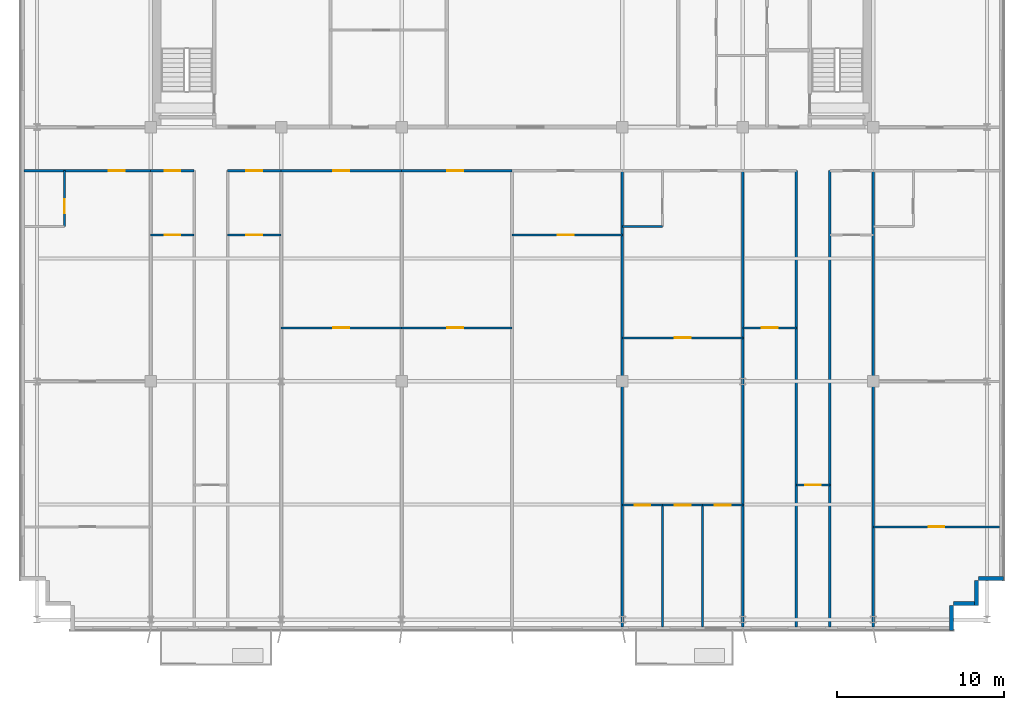
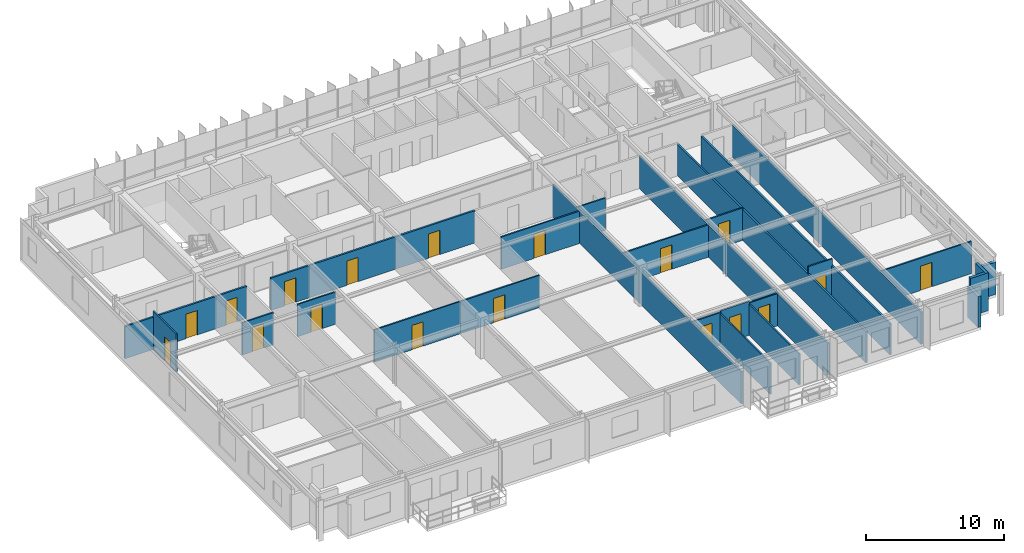
# One storey, part 15 of 20: 30 walls, 18 doors, 18 openings.
"""IFC4 building model written with IfcOpenShell, lengths in metres."""

from ifc_helpers import new_model, si_unit, direction, frame, frame_2d, origin, place, context, subcontext, project, spatial, rectangle, extrude, source, transform, mapped, material, layer, layer_set, type_object, element, fill, save


model = new_model("IFC4")

# Units and contexts
model_context = context("Model", 3, precision=1e-05, world=origin(), true_north=direction((0.0, 1.0)))
body_context = subcontext(model_context, "Body", "Model", "MODEL_VIEW")
ifc_project = project(units=[si_unit("LENGTHUNIT", "METRE"), si_unit("AREAUNIT", "SQUARE_METRE"), si_unit("VOLUMEUNIT", "CUBIC_METRE"), si_unit("PLANEANGLEUNIT", "RADIAN"), si_unit("MASSUNIT", "GRAM", prefix="KILO")], contexts=[model_context])

# Site, building, storey
site_placement = place(None, origin())
site = spatial("IfcSite", under=ifc_project, at=site_placement, CompositionType="ELEMENT")
building_placement = place(site_placement, origin())
building = spatial("IfcBuilding", under=site, at=building_placement, Name="Trelvane Seafront Commons", CompositionType="ELEMENT")
storey_placement = place(building_placement, frame((0.0, 0.0, 164.5)))
storey = spatial("IfcBuildingStorey", under=building, at=storey_placement, Name="L43", CompositionType="ELEMENT", Elevation=164.5)

# Walls
ifc_material_1 = material(Name="Precast concrete C40/50", Category="concrete")
ifc_layer_1 = layer(ifc_material_1, 0.239990234375, Name="ARCH-WALL-EXT240")
ifc_layer_set_1 = layer_set([ifc_layer_1], Name="Precast concrete C40/50")
wall_type_1 = type_object("IfcWallType", Name="ARCH-WALL-EXT240", PredefinedType="SOLIDWALL", material=ifc_layer_set_1)
wall_1_placement = place(storey_placement, frame((66.60009765625, 6.419921875, 0.0), z_axis=(0.0, 0.0, 1.0), x_axis=(-1.0, 0.0, 0.0)))
element("IfcWall", 1, at=wall_1_placement, inside=storey, type_object=wall_type_1, Name="EW-L43-00857", PredefinedType="SOLIDWALL", context=body_context, shape_type="SweptSolid", body=[
    extrude(rectangle(XDim=1.5, YDim=0.239990234375, at=frame_2d((0.75, 0.0))), origin(), (0.0, 0.0, 1.0), 2.85009765625),
])
for number, where, z_axis, x_axis, name in (
    (2, (64.97998046875, 6.300048828125, 0.0), (0.0, 0.0, 1.0), (0.0, -1.0, 0.0), "EW-L43-00858"),
    (3, (65.10009765625, 4.919921875, 0.0), (0.0, 0.0, 1.0), (-1.0, 0.0, 0.0), "EW-L43-00859"),
):
    element("IfcWall", number, at=place(storey_placement, frame(where, z_axis=z_axis, x_axis=x_axis)), inside=storey, type_object=wall_type_1, Name=name, PredefinedType="SOLIDWALL", context=body_context, shape_type="SweptSolid", body=[
        extrude(rectangle(XDim=1.5, YDim=0.239990234375, at=frame_2d((0.75, 0.0))), origin(), (0.0, 0.0, 1.0), 3.35009765625),
    ])
wall_2_placement = place(storey_placement, frame((63.47998046875, 4.800048828125, 0.0), z_axis=(0.0, 0.0, 1.0), x_axis=(0.0, -1.0, 0.0)))
element("IfcWall", 4, at=wall_2_placement, inside=storey, type_object=wall_type_1, Name="EW-L43-00860", PredefinedType="SOLIDWALL", context=body_context, shape_type="SweptSolid", body=[
    extrude(rectangle(XDim=1.5, YDim=0.239990234375, at=frame_2d((0.75, 0.0))), origin(), (0.0, 0.0, 1.0), 2.75),
])

# Wall, opening, door
ifc_material_2 = material(Name="Gypsum Drywall Acoustic Partition")
ifc_layer_2 = layer(ifc_material_2, 0.1201171875, Name="ARCH-WALL-PART120")
ifc_layer_set_2 = layer_set([ifc_layer_2], Name="Gypsum Drywall Acoustic Partition")
wall_type_2 = type_object("IfcWallType", Name="ARCH-WALL-PART120", PredefinedType="PARTITIONING", material=ifc_layer_set_2)
wall_3_placement = place(storey_placement, frame((10.43994140625, 27.449951171875, 0.0), z_axis=(0.0, 0.0, 1.0), x_axis=(0.0, 1.0, 0.0)))
wall_3 = element("IfcWall", 5, at=wall_3_placement, inside=storey, type_object=wall_type_2, Name="W-L43-U1-BE-051", PredefinedType="PARTITIONING", context=body_context, shape_type="SweptSolid", body=[
    extrude(rectangle(XDim=3.35009765625, YDim=0.1201171875, at=frame_2d((1.675048828125, 0.0))), origin(), (0.0, 0.0, 1.0), 3.35009765625),
])
opening_1_placement = place(wall_3_placement, frame((0.800048828125, 0.0, 0.0)))
opening_1 = element("IfcOpeningElement", 6, at=opening_1_placement, cuts=wall_3, Name="Opening D-L43-28", PredefinedType="OPENING", context=body_context, shape_type="SweptSolid", body=[
    extrude(rectangle(XDim=0.85009765625, YDim=2.10009765625, at=frame_2d((0.425048828125, 1.050048828125))), frame((0.0, 0.070068359375, 0.0), z_axis=(0.0, -1.0, 0.0), x_axis=(1.0, 0.0, 0.0)), (0.0, 0.0, 1.0), 0.14013671875),
])
ifc_material_3 = material(Name="Acoustic timber door leaf", Category="wood")
door_type_1 = type_object("IfcDoorType", Name="ARCH-DR-INT850", OperationType="NOTDEFINED", PredefinedType="DOOR", material=ifc_material_3)
shared_shape_1 = source(origin(), body_context, "Body", "SweptSolid", [
    extrude(rectangle(XDim=0.85009765625, YDim=2.10009765625, at=frame_2d((0.425048828125, 1.050048828125))), frame((0.0, 0.02490234375, 0.0), z_axis=(0.0, -1.0, 0.0), x_axis=(1.0, 0.0, 0.0)), (0.0, 0.0, 1.0), 0.050048828125),
])
door_1_placement = place(opening_1_placement, origin())
door_1 = element("IfcDoor", 7, at=door_1_placement, inside=storey, type_object=door_type_1, Name="L43 Door 28", OperationType="SINGLE_SWING_RIGHT", OverallHeight=2.10009765625, OverallWidth=0.85009765625, PredefinedType="DOOR", context=body_context, shape_type="MappedRepresentation", body=[
    mapped(shared_shape_1, transform((0.0, 0.0, 0.0), x_axis=(1.0, 0.0, 0.0), y_axis=(0.0, 1.0, 0.0), z_axis=(0.0, 0.0, 1.0), scale=1.0)),
])
fill(opening_1, door_1)

wall_4_placement = place(storey_placement, frame((15.60009765625, 26.949951171875, 0.0), z_axis=(0.0, 0.0, 1.0), x_axis=(1.0, 0.0, 0.0)))
wall_4 = element("IfcWall", 8, at=wall_4_placement, inside=storey, type_object=wall_type_2, Name="W-L43-U2-DIV-056", PredefinedType="PARTITIONING", context=body_context, shape_type="SweptSolid", body=[
    extrude(rectangle(XDim=2.599853515625, YDim=0.1201171875, at=frame_2d((1.2998046875, 0.0))), origin(), (0.0, 0.0, 1.0), 2.85009765625),
])
opening_2_placement = place(wall_4_placement, frame((0.824951171875, 0.0, 0.0)))
opening_2 = element("IfcOpeningElement", 9, at=opening_2_placement, cuts=wall_4, Name="Opening D-L43-32", PredefinedType="OPENING", context=body_context, shape_type="SweptSolid", body=[
    extrude(rectangle(XDim=0.949951171875, YDim=2.14990234375, at=frame_2d((0.47509765625, 1.074951171875))), frame((0.0, 0.070068359375, 0.0), z_axis=(0.0, -1.0, 0.0), x_axis=(1.0, 0.0, 0.0)), (0.0, 0.0, 1.0), 0.14013671875),
])
door_type_2 = type_object("IfcDoorType", Name="ARCH-DR-INT950", OperationType="NOTDEFINED", PredefinedType="DOOR", material=ifc_material_3)
shared_shape_2 = source(origin(), body_context, "Body", "SweptSolid", [
    extrude(rectangle(XDim=0.949951171875, YDim=2.14990234375, at=frame_2d((0.47509765625, 1.074951171875))), frame((0.0, 0.02490234375, 0.0), z_axis=(0.0, -1.0, 0.0), x_axis=(1.0, 0.0, 0.0)), (0.0, 0.0, 1.0), 0.050048828125),
])
door_2_placement = place(opening_2_placement, origin())
door_2 = element("IfcDoor", 10, at=door_2_placement, inside=storey, type_object=door_type_2, Name="L43 Door 32", OperationType="SINGLE_SWING_RIGHT", OverallHeight=2.14990234375, OverallWidth=0.949951171875, PredefinedType="DOOR", context=body_context, shape_type="MappedRepresentation", body=[
    mapped(shared_shape_2, transform((0.0, 0.0, 0.0), x_axis=(1.0, 0.0, 0.0), y_axis=(0.0, 1.0, 0.0), z_axis=(0.0, 0.0, 1.0), scale=1.0)),
])
fill(opening_2, door_2)

wall_5_placement = place(storey_placement, frame((20.199951171875, 26.949951171875, 0.0), z_axis=(0.0, 0.0, 1.0), x_axis=(1.0, 0.0, 0.0)))
wall_5 = element("IfcWall", 11, at=wall_5_placement, inside=storey, type_object=wall_type_2, Name="W-L43-U4-DIV-061", PredefinedType="PARTITIONING", context=body_context, shape_type="SweptSolid", body=[
    extrude(rectangle(XDim=3.199951171875, YDim=0.1201171875, at=frame_2d((1.60009765625, 0.0))), origin(), (0.0, 0.0, 1.0), 2.85009765625),
])
opening_3_placement = place(wall_5_placement, frame((1.125, 0.0, 0.0)))
opening_3 = element("IfcOpeningElement", 12, at=opening_3_placement, cuts=wall_5, Name="Opening D-L43-35", PredefinedType="OPENING", context=body_context, shape_type="SweptSolid", body=[
    extrude(rectangle(XDim=0.949951171875, YDim=2.14990234375, at=frame_2d((0.47509765625, 1.074951171875))), frame((0.0, 0.070068359375, 0.0), z_axis=(0.0, -1.0, 0.0), x_axis=(1.0, 0.0, 0.0)), (0.0, 0.0, 1.0), 0.14013671875),
])
door_3_placement = place(opening_3_placement, origin())
door_3 = element("IfcDoor", 13, at=door_3_placement, inside=storey, type_object=door_type_2, Name="L43 Door 35", OperationType="SINGLE_SWING_LEFT", OverallHeight=2.14990234375, OverallWidth=0.949951171875, PredefinedType="DOOR", context=body_context, shape_type="MappedRepresentation", body=[
    mapped(shared_shape_2, transform((0.0, 0.0, 0.0), x_axis=(1.0, 0.0, 0.0), y_axis=(0.0, 1.0, 0.0), z_axis=(0.0, 0.0, 1.0), scale=1.0)),
])
fill(opening_3, door_3)

wall_6_placement = place(storey_placement, frame((23.39990234375, 21.39990234375, 0.0), z_axis=(0.0, 0.0, 1.0), x_axis=(1.0, 0.0, 0.0)))
wall_6 = element("IfcWall", 14, at=wall_6_placement, inside=storey, type_object=wall_type_2, Name="W-L43-U5-DIV-063", PredefinedType="PARTITIONING", context=body_context, shape_type="SweptSolid", body=[
    extrude(rectangle(XDim=7.2001953125, YDim=0.1201171875, at=frame_2d((3.60009765625, 0.0))), origin(), (0.0, 0.0, 1.0), 2.85009765625),
])
opening_4_placement = place(wall_6_placement, frame((3.125, 0.0, 0.0)))
opening_4 = element("IfcOpeningElement", 15, at=opening_4_placement, cuts=wall_6, Name="Opening D-L43-37", PredefinedType="OPENING", context=body_context, shape_type="SweptSolid", body=[
    extrude(rectangle(XDim=0.949951171875, YDim=2.14990234375, at=frame_2d((0.47509765625, 1.074951171875))), frame((0.0, 0.070068359375, 0.0), z_axis=(0.0, -1.0, 0.0), x_axis=(1.0, 0.0, 0.0)), (0.0, 0.0, 1.0), 0.14013671875),
])
door_4_placement = place(opening_4_placement, origin())
door_4 = element("IfcDoor", 16, at=door_4_placement, inside=storey, type_object=door_type_2, Name="L43 Door 37", OperationType="SINGLE_SWING_LEFT", OverallHeight=2.14990234375, OverallWidth=0.949951171875, PredefinedType="DOOR", context=body_context, shape_type="MappedRepresentation", body=[
    mapped(shared_shape_2, transform((0.0, 0.0, 0.0), x_axis=(1.0, 0.0, 0.0), y_axis=(0.0, 1.0, 0.0), z_axis=(0.0, 0.0, 1.0), scale=1.0)),
])
fill(opening_4, door_4)

wall_7_placement = place(storey_placement, frame((30.60009765625, 21.39990234375, 0.0), z_axis=(0.0, 0.0, 1.0), x_axis=(1.0, 0.0, 0.0)))
wall_7 = element("IfcWall", 17, at=wall_7_placement, inside=storey, type_object=wall_type_2, Name="W-L43-U6-DIV-065", PredefinedType="PARTITIONING", context=body_context, shape_type="SweptSolid", body=[
    extrude(rectangle(XDim=6.599853515625, YDim=0.1201171875, at=frame_2d((3.2998046875, 0.0))), origin(), (0.0, 0.0, 1.0), 2.85009765625),
])
opening_5_placement = place(wall_7_placement, frame((2.73388671875, 0.0, 0.0)))
opening_5 = element("IfcOpeningElement", 18, at=opening_5_placement, cuts=wall_7, Name="Opening D-L43-39", PredefinedType="OPENING", context=body_context, shape_type="SweptSolid", body=[
    extrude(rectangle(XDim=0.949951171875, YDim=2.14990234375, at=frame_2d((0.47509765625, 1.074951171875))), frame((0.0, 0.070068359375, 0.0), z_axis=(0.0, -1.0, 0.0), x_axis=(1.0, 0.0, 0.0)), (0.0, 0.0, 1.0), 0.14013671875),
])
door_5_placement = place(opening_5_placement, origin())
door_5 = element("IfcDoor", 19, at=door_5_placement, inside=storey, type_object=door_type_2, Name="L43 Door 39", OperationType="SINGLE_SWING_LEFT", OverallHeight=2.14990234375, OverallWidth=0.949951171875, PredefinedType="DOOR", context=body_context, shape_type="MappedRepresentation", body=[
    mapped(shared_shape_2, transform((0.0, 0.0, 0.0), x_axis=(1.0, 0.0, 0.0), y_axis=(0.0, 1.0, 0.0), z_axis=(0.0, 0.0, 1.0), scale=1.0)),
])
fill(opening_5, door_5)

wall_8_placement = place(storey_placement, frame((37.199951171875, 26.949951171875, 0.0), z_axis=(0.0, 0.0, 1.0), x_axis=(1.0, 0.0, 0.0)))
wall_8 = element("IfcWall", 20, at=wall_8_placement, inside=storey, type_object=wall_type_2, Name="W-L43-U7-DIV-067", PredefinedType="PARTITIONING", context=body_context, shape_type="SweptSolid", body=[
    extrude(rectangle(XDim=6.60009765625, YDim=0.1201171875, at=frame_2d((3.300048828125, 0.0))), origin(), (0.0, 0.0, 1.0), 2.85009765625),
])
opening_6_placement = place(wall_8_placement, frame((2.73388671875, 0.0, 0.0)))
opening_6 = element("IfcOpeningElement", 21, at=opening_6_placement, cuts=wall_8, Name="Opening D-L43-41", PredefinedType="OPENING", context=body_context, shape_type="SweptSolid", body=[
    extrude(rectangle(XDim=0.949951171875, YDim=2.14990234375, at=frame_2d((0.47509765625, 1.074951171875))), frame((0.0, 0.070068359375, 0.0), z_axis=(0.0, -1.0, 0.0), x_axis=(1.0, 0.0, 0.0)), (0.0, 0.0, 1.0), 0.14013671875),
])
door_6_placement = place(opening_6_placement, origin())
door_6 = element("IfcDoor", 22, at=door_6_placement, inside=storey, type_object=door_type_2, Name="L43 Door 41", OperationType="SINGLE_SWING_LEFT", OverallHeight=2.14990234375, OverallWidth=0.949951171875, PredefinedType="DOOR", context=body_context, shape_type="MappedRepresentation", body=[
    mapped(shared_shape_2, transform((0.0, 0.0, 0.0), x_axis=(1.0, 0.0, 0.0), y_axis=(0.0, 1.0, 0.0), z_axis=(0.0, 0.0, 1.0), scale=1.0)),
])
fill(opening_6, door_6)

wall_9_placement = place(storey_placement, frame((43.800048828125, 20.800048828125, 0.0), z_axis=(0.0, 0.0, 1.0), x_axis=(1.0, 0.0, 0.0)))
wall_9 = element("IfcWall", 23, at=wall_9_placement, inside=storey, type_object=wall_type_2, Name="W-L43-U8-KL-068", PredefinedType="PARTITIONING", context=body_context, shape_type="SweptSolid", body=[
    extrude(rectangle(XDim=7.199951171875, YDim=0.1201171875, at=frame_2d((3.60009765625, 0.0))), origin(), (0.0, 0.0, 1.0), 2.85009765625),
])
opening_7_placement = place(wall_9_placement, frame((3.125, 0.0, 0.0)))
opening_7 = element("IfcOpeningElement", 24, at=opening_7_placement, cuts=wall_9, Name="Opening D-L43-42", PredefinedType="OPENING", context=body_context, shape_type="SweptSolid", body=[
    extrude(rectangle(XDim=0.949951171875, YDim=2.14990234375, at=frame_2d((0.47509765625, 1.074951171875))), frame((0.0, 0.070068359375, 0.0), z_axis=(0.0, -1.0, 0.0), x_axis=(1.0, 0.0, 0.0)), (0.0, 0.0, 1.0), 0.14013671875),
])
door_7_placement = place(opening_7_placement, origin())
door_7 = element("IfcDoor", 25, at=door_7_placement, inside=storey, type_object=door_type_2, Name="L43 Door 42", OperationType="SINGLE_SWING_RIGHT", OverallHeight=2.14990234375, OverallWidth=0.949951171875, PredefinedType="DOOR", context=body_context, shape_type="MappedRepresentation", body=[
    mapped(shared_shape_2, transform((0.0, 0.0, 0.0), x_axis=(1.0, 0.0, 0.0), y_axis=(0.0, 1.0, 0.0), z_axis=(0.0, 0.0, 1.0), scale=1.0)),
])
fill(opening_7, door_7)

# Wall
wall_10_placement = place(storey_placement, frame((43.800048828125, 27.449951171875, 0.0), z_axis=(0.0, 0.0, 1.0), x_axis=(1.0, 0.0, 0.0)))
element("IfcWall", 26, at=wall_10_placement, inside=storey, type_object=wall_type_2, Name="W-L43-U8-BS-070", PredefinedType="PARTITIONING", context=body_context, shape_type="SweptSolid", body=[
    extrude(rectangle(XDim=2.39990234375, YDim=0.1201171875, at=frame_2d((1.199951171875, 0.0))), origin(), (0.0, 0.0, 1.0), 2.85009765625),
])

# Wall, opening, door
wall_11_placement = place(storey_placement, frame((43.800048828125, 10.800048828125, 0.0), z_axis=(0.0, 0.0, 1.0), x_axis=(1.0, 0.0, 0.0)))
wall_11 = element("IfcWall", 27, at=wall_11_placement, inside=storey, type_object=wall_type_2, Name="W-L43-U8-YM-1-072", PredefinedType="PARTITIONING", context=body_context, shape_type="SweptSolid", body=[
    extrude(rectangle(XDim=2.39990234375, YDim=0.1201171875, at=frame_2d((1.199951171875, 0.0))), origin(), (0.0, 0.0, 1.0), 2.85009765625),
])
opening_8_placement = place(wall_11_placement, frame((0.72509765625, 0.0, 0.0)))
opening_8 = element("IfcOpeningElement", 28, at=opening_8_placement, cuts=wall_11, Name="Opening D-L43-45", PredefinedType="OPENING", context=body_context, shape_type="SweptSolid", body=[
    extrude(rectangle(XDim=0.949951171875, YDim=2.14990234375, at=frame_2d((0.47509765625, 1.074951171875))), frame((0.0, 0.070068359375, 0.0), z_axis=(0.0, -1.0, 0.0), x_axis=(1.0, 0.0, 0.0)), (0.0, 0.0, 1.0), 0.14013671875),
])
door_8_placement = place(opening_8_placement, origin())
door_8 = element("IfcDoor", 29, at=door_8_placement, inside=storey, type_object=door_type_2, Name="L43 Door 45", OperationType="SINGLE_SWING_LEFT", OverallHeight=2.14990234375, OverallWidth=0.949951171875, PredefinedType="DOOR", context=body_context, shape_type="MappedRepresentation", body=[
    mapped(shared_shape_2, transform((0.0, 0.0, 0.0), x_axis=(1.0, 0.0, 0.0), y_axis=(0.0, 1.0, 0.0), z_axis=(0.0, 0.0, 1.0), scale=1.0)),
])
fill(opening_8, door_8)

wall_12_placement = place(storey_placement, frame((46.199951171875, 10.800048828125, 0.0), z_axis=(0.0, 0.0, 1.0), x_axis=(1.0, 0.0, 0.0)))
wall_12 = element("IfcWall", 30, at=wall_12_placement, inside=storey, type_object=wall_type_2, Name="W-L43-U8-YM-2-073", PredefinedType="PARTITIONING", context=body_context, shape_type="SweptSolid", body=[
    extrude(rectangle(XDim=2.400146484375, YDim=0.1201171875, at=frame_2d((1.2001953125, 0.0))), origin(), (0.0, 0.0, 1.0), 3.0),
])
opening_9_placement = place(wall_12_placement, frame((0.72509765625, 0.0, 0.0)))
opening_9 = element("IfcOpeningElement", 31, at=opening_9_placement, cuts=wall_12, Name="Opening D-L43-46", PredefinedType="OPENING", context=body_context, shape_type="SweptSolid", body=[
    extrude(rectangle(XDim=0.949951171875, YDim=2.14990234375, at=frame_2d((0.47509765625, 1.074951171875))), frame((0.0, 0.070068359375, 0.0), z_axis=(0.0, -1.0, 0.0), x_axis=(1.0, 0.0, 0.0)), (0.0, 0.0, 1.0), 0.14013671875),
])
door_9_placement = place(opening_9_placement, origin())
door_9 = element("IfcDoor", 32, at=door_9_placement, inside=storey, type_object=door_type_2, Name="L43 Door 46", OperationType="SINGLE_SWING_RIGHT", OverallHeight=2.14990234375, OverallWidth=0.949951171875, PredefinedType="DOOR", context=body_context, shape_type="MappedRepresentation", body=[
    mapped(shared_shape_2, transform((0.0, 0.0, 0.0), x_axis=(1.0, 0.0, 0.0), y_axis=(0.0, 1.0, 0.0), z_axis=(0.0, 0.0, 1.0), scale=1.0)),
])
fill(opening_9, door_9)

# Wall
wall_13_placement = place(storey_placement, frame((46.199951171875, 3.52490234375, 0.0), z_axis=(0.0, 0.0, 1.0), x_axis=(0.0, 1.0, 0.0)))
element("IfcWall", 33, at=wall_13_placement, inside=storey, type_object=wall_type_2, Name="W-L43-U8-BDV-1-074", PredefinedType="PARTITIONING", context=body_context, shape_type="SweptSolid", body=[
    extrude(rectangle(XDim=7.275146484375, YDim=0.1201171875, at=frame_2d((3.6376953125, 0.0))), origin(), (0.0, 0.0, 1.0), 2.75),
])

# Wall, opening, door
wall_14_placement = place(storey_placement, frame((48.60009765625, 10.800048828125, 0.0), z_axis=(0.0, 0.0, 1.0), x_axis=(1.0, 0.0, 0.0)))
wall_14 = element("IfcWall", 34, at=wall_14_placement, inside=storey, type_object=wall_type_2, Name="W-L43-U8-YM-3-075", PredefinedType="PARTITIONING", context=body_context, shape_type="SweptSolid", body=[
    extrude(rectangle(XDim=2.39990234375, YDim=0.1201171875, at=frame_2d((1.199951171875, 0.0))), origin(), (0.0, 0.0, 1.0), 2.85009765625),
])
opening_10_placement = place(wall_14_placement, frame((0.72509765625, 0.0, 0.0)))
opening_10 = element("IfcOpeningElement", 35, at=opening_10_placement, cuts=wall_14, Name="Opening D-L43-47", PredefinedType="OPENING", context=body_context, shape_type="SweptSolid", body=[
    extrude(rectangle(XDim=0.949951171875, YDim=2.14990234375, at=frame_2d((0.47509765625, 1.074951171875))), frame((0.0, 0.070068359375, 0.0), z_axis=(0.0, -1.0, 0.0), x_axis=(1.0, 0.0, 0.0)), (0.0, 0.0, 1.0), 0.14013671875),
])
door_10_placement = place(opening_10_placement, origin())
door_10 = element("IfcDoor", 36, at=door_10_placement, inside=storey, type_object=door_type_2, Name="L43 Door 47", OperationType="SINGLE_SWING_LEFT", OverallHeight=2.14990234375, OverallWidth=0.949951171875, PredefinedType="DOOR", context=body_context, shape_type="MappedRepresentation", body=[
    mapped(shared_shape_2, transform((0.0, 0.0, 0.0), x_axis=(1.0, 0.0, 0.0), y_axis=(0.0, 1.0, 0.0), z_axis=(0.0, 0.0, 1.0), scale=1.0)),
])
fill(opening_10, door_10)

# Wall
wall_15_placement = place(storey_placement, frame((48.60009765625, 3.52490234375, 0.0), z_axis=(0.0, 0.0, 1.0), x_axis=(0.0, 1.0, 0.0)))
element("IfcWall", 37, at=wall_15_placement, inside=storey, type_object=wall_type_2, Name="W-L43-U8-BDV-2-076", PredefinedType="PARTITIONING", context=body_context, shape_type="SweptSolid", body=[
    extrude(rectangle(XDim=7.275146484375, YDim=0.1201171875, at=frame_2d((3.6376953125, 0.0))), origin(), (0.0, 0.0, 1.0), 2.75),
])

# Wall, opening, door
wall_16_placement = place(storey_placement, frame((51.0, 21.39990234375, 0.0), z_axis=(0.0, 0.0, 1.0), x_axis=(1.0, 0.0, 0.0)))
wall_16 = element("IfcWall", 38, at=wall_16_placement, inside=storey, type_object=wall_type_2, Name="W-L43-U9-DIV-078", PredefinedType="PARTITIONING", context=body_context, shape_type="SweptSolid", body=[
    extrude(rectangle(XDim=3.199951171875, YDim=0.1201171875, at=frame_2d((1.60009765625, 0.0))), origin(), (0.0, 0.0, 1.0), 2.85009765625),
])
opening_11_placement = place(wall_16_placement, frame((1.125, 0.0, 0.0)))
opening_11 = element("IfcOpeningElement", 39, at=opening_11_placement, cuts=wall_16, Name="Opening D-L43-49", PredefinedType="OPENING", context=body_context, shape_type="SweptSolid", body=[
    extrude(rectangle(XDim=0.949951171875, YDim=2.14990234375, at=frame_2d((0.47509765625, 1.074951171875))), frame((0.0, 0.070068359375, 0.0), z_axis=(0.0, -1.0, 0.0), x_axis=(1.0, 0.0, 0.0)), (0.0, 0.0, 1.0), 0.14013671875),
])
door_11_placement = place(opening_11_placement, origin())
door_11 = element("IfcDoor", 40, at=door_11_placement, inside=storey, type_object=door_type_2, Name="L43 Door 49", OperationType="SINGLE_SWING_LEFT", OverallHeight=2.14990234375, OverallWidth=0.949951171875, PredefinedType="DOOR", context=body_context, shape_type="MappedRepresentation", body=[
    mapped(shared_shape_2, transform((0.0, 0.0, 0.0), x_axis=(1.0, 0.0, 0.0), y_axis=(0.0, 1.0, 0.0), z_axis=(0.0, 0.0, 1.0), scale=1.0)),
])
fill(opening_11, door_11)

wall_17_placement = place(storey_placement, frame((54.199951171875, 12.0, 0.0), z_axis=(0.0, 0.0, 1.0), x_axis=(1.0, 0.0, 0.0)))
wall_17 = element("IfcWall", 41, at=wall_17_placement, inside=storey, type_object=wall_type_2, Name="W-L43-ARM-END-10-081", PredefinedType="PARTITIONING", context=body_context, shape_type="SweptSolid", body=[
    extrude(rectangle(XDim=2.0, YDim=0.1201171875, at=frame_2d((1.0, 0.0))), origin(), (0.0, 0.0, 1.0), 3.35009765625),
])
opening_12_placement = place(wall_17_placement, frame((0.52001953125, 0.0, 0.0)))
opening_12 = element("IfcOpeningElement", 42, at=opening_12_placement, cuts=wall_17, Name="Opening D-L43-50", PredefinedType="OPENING", context=body_context, shape_type="SweptSolid", body=[
    extrude(rectangle(XDim=0.949951171875, YDim=2.14990234375, at=frame_2d((0.47509765625, 1.074951171875))), frame((0.0, 0.070068359375, 0.0), z_axis=(0.0, -1.0, 0.0), x_axis=(1.0, 0.0, 0.0)), (0.0, 0.0, 1.0), 0.14013671875),
])
door_12_placement = place(opening_12_placement, origin())
door_12 = element("IfcDoor", 43, at=door_12_placement, inside=storey, type_object=door_type_2, Name="L43 Door 50", OperationType="SINGLE_SWING_RIGHT", OverallHeight=2.14990234375, OverallWidth=0.949951171875, PredefinedType="DOOR", context=body_context, shape_type="MappedRepresentation", body=[
    mapped(shared_shape_2, transform((0.0, 0.0, 0.0), x_axis=(1.0, 0.0, 0.0), y_axis=(0.0, 1.0, 0.0), z_axis=(0.0, 0.0, 1.0), scale=1.0)),
])
fill(opening_12, door_12)

wall_18_placement = place(storey_placement, frame((58.800048828125, 9.5, 0.0), z_axis=(0.0, 0.0, 1.0), x_axis=(1.0, 0.0, 0.0)))
wall_18 = element("IfcWall", 44, at=wall_18_placement, inside=storey, type_object=wall_type_2, Name="W-L43-U12-YM-1-088", PredefinedType="PARTITIONING", context=body_context, shape_type="SweptSolid", body=[
    extrude(rectangle(XDim=7.56005859375, YDim=0.1201171875, at=frame_2d((3.780029296875, 0.0))), origin(), (0.0, 0.0, 1.0), 2.85009765625),
])
opening_13_placement = place(wall_18_placement, frame((3.304931640625, 0.0, 0.0)))
opening_13 = element("IfcOpeningElement", 45, at=opening_13_placement, cuts=wall_18, Name="Opening D-L43-56", PredefinedType="OPENING", context=body_context, shape_type="SweptSolid", body=[
    extrude(rectangle(XDim=0.949951171875, YDim=2.14990234375, at=frame_2d((0.47509765625, 1.074951171875))), frame((0.0, 0.070068359375, 0.0), z_axis=(0.0, -1.0, 0.0), x_axis=(1.0, 0.0, 0.0)), (0.0, 0.0, 1.0), 0.14013671875),
])
door_13_placement = place(opening_13_placement, origin())
door_13 = element("IfcDoor", 46, at=door_13_placement, inside=storey, type_object=door_type_2, Name="L43 Door 56", OperationType="SINGLE_SWING_RIGHT", OverallHeight=2.14990234375, OverallWidth=0.949951171875, PredefinedType="DOOR", context=body_context, shape_type="MappedRepresentation", body=[
    mapped(shared_shape_2, transform((0.0, 0.0, 0.0), x_axis=(1.0, 0.0, 0.0), y_axis=(0.0, 1.0, 0.0), z_axis=(0.0, 0.0, 1.0), scale=1.0)),
])
fill(opening_13, door_13)

# Walls
ifc_layer_3 = layer(ifc_material_2, 0.14990234375, Name="ARCH-WALL-PART150")
ifc_layer_set_3 = layer_set([ifc_layer_3], Name="Gypsum Drywall Acoustic Partition")
wall_type_3 = type_object("IfcWallType", Name="ARCH-WALL-PART150", PredefinedType="PARTITIONING", material=ifc_layer_set_3)
for number, where, z_axis, x_axis, name in (
    (47, (43.800048828125, 3.52490234375, 0.0), (0.0, 0.0, 1.0), (0.0, 1.0, 0.0), "W-L43-PW-7-047"),
    (48, (51.0, 3.52490234375, 0.0), (0.0, 0.0, 1.0), (0.0, 1.0, 0.0), "W-L43-PW-8-048"),
    (49, (58.800048828125, 3.52490234375, 0.0), (0.0, 0.0, 1.0), (0.0, 1.0, 0.0), "W-L43-PW-11-049"),
):
    element("IfcWall", number, at=place(storey_placement, frame(where, z_axis=z_axis, x_axis=x_axis)), inside=storey, type_object=wall_type_3, Name=name, PredefinedType="PARTITIONING", context=body_context, shape_type="SweptSolid", body=[
        extrude(rectangle(XDim=27.275146484375, YDim=0.14990234375, at=frame_2d((13.6376953125, 0.0))), origin(), (0.0, 0.0, 1.0), 2.85009765625),
    ])

# Wall, opening, door
wall_19_placement = place(storey_placement, frame((8.02490234375, 30.800048828125, 0.0), z_axis=(0.0, 0.0, 1.0), x_axis=(1.0, 0.0, 0.0)))
wall_19 = element("IfcWall", 50, at=wall_19_placement, inside=storey, type_object=wall_type_3, Name="W-L43-CS-BAY-1-053", PredefinedType="PARTITIONING", context=body_context, shape_type="SweptSolid", body=[
    extrude(rectangle(XDim=7.5751953125, YDim=0.14990234375, at=frame_2d((3.78759765625, 0.0))), origin(), (0.0, 0.0, 1.0), 2.85009765625),
])
opening_14_placement = place(wall_19_placement, frame((5.072998046875, 0.0, 0.0)))
opening_14 = element("IfcOpeningElement", 51, at=opening_14_placement, cuts=wall_19, Name="Opening FD-L43-29", PredefinedType="OPENING", context=body_context, shape_type="SweptSolid", body=[
    extrude(rectangle(XDim=0.949951171875, YDim=2.14990234375, at=frame_2d((0.47509765625, 1.074951171875))), frame((0.0, 0.0849609375, 0.0), z_axis=(0.0, -1.0, 0.0), x_axis=(1.0, 0.0, 0.0)), (0.0, 0.0, 1.0), 0.169921875),
])
ifc_material_4 = material(Name="Powder-coated aluminium frame", Category="aluminium")
door_type_3 = type_object("IfcDoorType", Name="ARCH-DR-FD60-950", OperationType="NOTDEFINED", PredefinedType="DOOR", material=ifc_material_4)
door_14_placement = place(opening_14_placement, origin())
door_14 = element("IfcDoor", 52, at=door_14_placement, inside=storey, type_object=door_type_3, Name="L43 Unit 01 Entrance Door", OperationType="SINGLE_SWING_LEFT", OverallHeight=2.14990234375, OverallWidth=0.949951171875, PredefinedType="DOOR", context=body_context, shape_type="MappedRepresentation", body=[
    mapped(shared_shape_2, transform((0.0, 0.0, 0.0), x_axis=(1.0, 0.0, 0.0), y_axis=(0.0, 1.0, 0.0), z_axis=(0.0, 0.0, 1.0), scale=1.0)),
])
fill(opening_14, door_14)

wall_20_placement = place(storey_placement, frame((15.60009765625, 30.800048828125, 0.0), z_axis=(0.0, 0.0, 1.0), x_axis=(1.0, 0.0, 0.0)))
wall_20 = element("IfcWall", 53, at=wall_20_placement, inside=storey, type_object=wall_type_3, Name="W-L43-CS-BAY-2-055", PredefinedType="PARTITIONING", context=body_context, shape_type="SweptSolid", body=[
    extrude(rectangle(XDim=2.599853515625, YDim=0.14990234375, at=frame_2d((1.2998046875, 0.0))), origin(), (0.0, 0.0, 1.0), 2.85009765625),
])
opening_15_placement = place(wall_20_placement, frame((0.824951171875, 0.0, 0.0)))
opening_15 = element("IfcOpeningElement", 54, at=opening_15_placement, cuts=wall_20, Name="Opening FD-L43-31", PredefinedType="OPENING", context=body_context, shape_type="SweptSolid", body=[
    extrude(rectangle(XDim=0.949951171875, YDim=2.14990234375, at=frame_2d((0.47509765625, 1.074951171875))), frame((0.0, 0.0849609375, 0.0), z_axis=(0.0, -1.0, 0.0), x_axis=(1.0, 0.0, 0.0)), (0.0, 0.0, 1.0), 0.169921875),
])
door_15_placement = place(opening_15_placement, origin())
door_15 = element("IfcDoor", 55, at=door_15_placement, inside=storey, type_object=door_type_3, Name="L43 Bay 02 Entrance Door", OperationType="SINGLE_SWING_LEFT", OverallHeight=2.14990234375, OverallWidth=0.949951171875, PredefinedType="DOOR", context=body_context, shape_type="MappedRepresentation", body=[
    mapped(shared_shape_2, transform((0.0, 0.0, 0.0), x_axis=(1.0, 0.0, 0.0), y_axis=(0.0, 1.0, 0.0), z_axis=(0.0, 0.0, 1.0), scale=1.0)),
])
fill(opening_15, door_15)

wall_21_placement = place(storey_placement, frame((20.199951171875, 30.800048828125, 0.0), z_axis=(0.0, 0.0, 1.0), x_axis=(1.0, 0.0, 0.0)))
wall_21 = element("IfcWall", 56, at=wall_21_placement, inside=storey, type_object=wall_type_3, Name="W-L43-CS-BAY-4-060", PredefinedType="PARTITIONING", context=body_context, shape_type="SweptSolid", body=[
    extrude(rectangle(XDim=3.199951171875, YDim=0.14990234375, at=frame_2d((1.60009765625, 0.0))), origin(), (0.0, 0.0, 1.0), 2.85009765625),
])
opening_16_placement = place(wall_21_placement, frame((1.125, 0.0, 0.0)))
opening_16 = element("IfcOpeningElement", 57, at=opening_16_placement, cuts=wall_21, Name="Opening FD-L43-34", PredefinedType="OPENING", context=body_context, shape_type="SweptSolid", body=[
    extrude(rectangle(XDim=0.949951171875, YDim=2.14990234375, at=frame_2d((0.47509765625, 1.074951171875))), frame((0.0, 0.0849609375, 0.0), z_axis=(0.0, -1.0, 0.0), x_axis=(1.0, 0.0, 0.0)), (0.0, 0.0, 1.0), 0.169921875),
])
door_16_placement = place(opening_16_placement, origin())
door_16 = element("IfcDoor", 58, at=door_16_placement, inside=storey, type_object=door_type_3, Name="L43 Bay 04 Entrance Door", OperationType="SINGLE_SWING_RIGHT", OverallHeight=2.14990234375, OverallWidth=0.949951171875, PredefinedType="DOOR", context=body_context, shape_type="MappedRepresentation", body=[
    mapped(shared_shape_2, transform((0.0, 0.0, 0.0), x_axis=(1.0, 0.0, 0.0), y_axis=(0.0, 1.0, 0.0), z_axis=(0.0, 0.0, 1.0), scale=1.0)),
])
fill(opening_16, door_16)

wall_22_placement = place(storey_placement, frame((23.39990234375, 30.800048828125, 0.0), z_axis=(0.0, 0.0, 1.0), x_axis=(1.0, 0.0, 0.0)))
wall_22 = element("IfcWall", 59, at=wall_22_placement, inside=storey, type_object=wall_type_3, Name="W-L43-CS-BAY-5-062", PredefinedType="PARTITIONING", context=body_context, shape_type="SweptSolid", body=[
    extrude(rectangle(XDim=7.2001953125, YDim=0.14990234375, at=frame_2d((3.60009765625, 0.0))), origin(), (0.0, 0.0, 1.0), 2.85009765625),
])
opening_17_placement = place(wall_22_placement, frame((3.125, 0.0, 0.0)))
opening_17 = element("IfcOpeningElement", 60, at=opening_17_placement, cuts=wall_22, Name="Opening FD-L43-36", PredefinedType="OPENING", context=body_context, shape_type="SweptSolid", body=[
    extrude(rectangle(XDim=0.949951171875, YDim=2.14990234375, at=frame_2d((0.47509765625, 1.074951171875))), frame((0.0, 0.0849609375, 0.0), z_axis=(0.0, -1.0, 0.0), x_axis=(1.0, 0.0, 0.0)), (0.0, 0.0, 1.0), 0.169921875),
])
door_17_placement = place(opening_17_placement, origin())
door_17 = element("IfcDoor", 61, at=door_17_placement, inside=storey, type_object=door_type_3, Name="L43 Bay 05 Entrance Door", OperationType="SINGLE_SWING_RIGHT", OverallHeight=2.14990234375, OverallWidth=0.949951171875, PredefinedType="DOOR", context=body_context, shape_type="MappedRepresentation", body=[
    mapped(shared_shape_2, transform((0.0, 0.0, 0.0), x_axis=(1.0, 0.0, 0.0), y_axis=(0.0, 1.0, 0.0), z_axis=(0.0, 0.0, 1.0), scale=1.0)),
])
fill(opening_17, door_17)

wall_23_placement = place(storey_placement, frame((30.60009765625, 30.800048828125, 0.0), z_axis=(0.0, 0.0, 1.0), x_axis=(1.0, 0.0, 0.0)))
wall_23 = element("IfcWall", 62, at=wall_23_placement, inside=storey, type_object=wall_type_3, Name="W-L43-CS-BAY-6-064", PredefinedType="PARTITIONING", context=body_context, shape_type="SweptSolid", body=[
    extrude(rectangle(XDim=6.599853515625, YDim=0.14990234375, at=frame_2d((3.2998046875, 0.0))), origin(), (0.0, 0.0, 1.0), 2.85009765625),
])
opening_18_placement = place(wall_23_placement, frame((2.73388671875, 0.0, 0.0)))
opening_18 = element("IfcOpeningElement", 63, at=opening_18_placement, cuts=wall_23, Name="Opening FD-L43-38", PredefinedType="OPENING", context=body_context, shape_type="SweptSolid", body=[
    extrude(rectangle(XDim=0.949951171875, YDim=2.14990234375, at=frame_2d((0.47509765625, 1.074951171875))), frame((0.0, 0.0849609375, 0.0), z_axis=(0.0, -1.0, 0.0), x_axis=(1.0, 0.0, 0.0)), (0.0, 0.0, 1.0), 0.169921875),
])
door_18_placement = place(opening_18_placement, origin())
door_18 = element("IfcDoor", 64, at=door_18_placement, inside=storey, type_object=door_type_3, Name="L43 Bay 06 Entrance Door", OperationType="SINGLE_SWING_RIGHT", OverallHeight=2.14990234375, OverallWidth=0.949951171875, PredefinedType="DOOR", context=body_context, shape_type="MappedRepresentation", body=[
    mapped(shared_shape_2, transform((0.0, 0.0, 0.0), x_axis=(1.0, 0.0, 0.0), y_axis=(0.0, 1.0, 0.0), z_axis=(0.0, 0.0, 1.0), scale=1.0)),
])
fill(opening_18, door_18)

# Walls
for number, where, z_axis, x_axis, name in (
    (65, (54.199951171875, 3.52490234375, 0.0), (0.0, 0.0, 1.0), (0.0, 1.0, 0.0), "W-L43-ARM-W-10-079"),
    (66, (56.199951171875, 3.52490234375, 0.0), (0.0, 0.0, 1.0), (0.0, 1.0, 0.0), "W-L43-ARM-E-10-080"),
):
    element("IfcWall", number, at=place(storey_placement, frame(where, z_axis=z_axis, x_axis=x_axis)), inside=storey, type_object=wall_type_3, Name=name, PredefinedType="PARTITIONING", context=body_context, shape_type="SweptSolid", body=[
        extrude(rectangle(XDim=27.275146484375, YDim=0.14990234375, at=frame_2d((13.6376953125, 0.0))), origin(), (0.0, 0.0, 1.0), 2.75),
    ])

save(model, "model.ifc")
